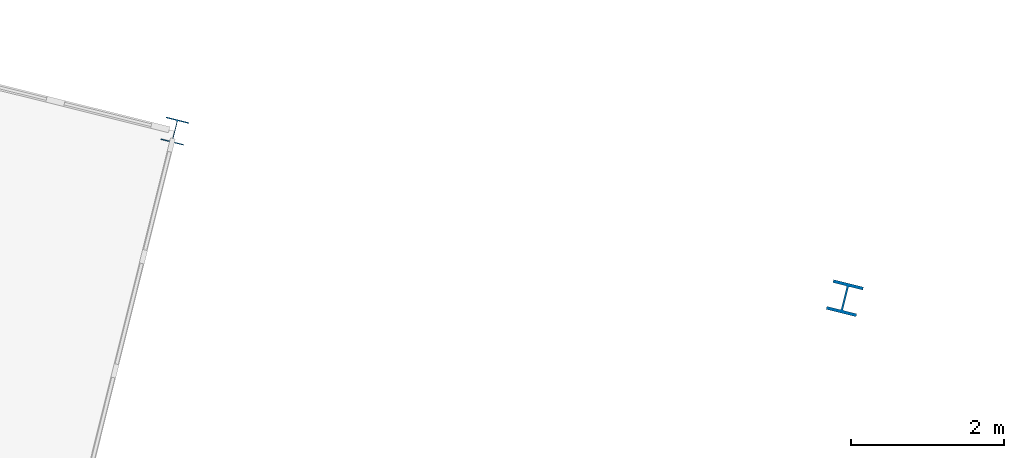
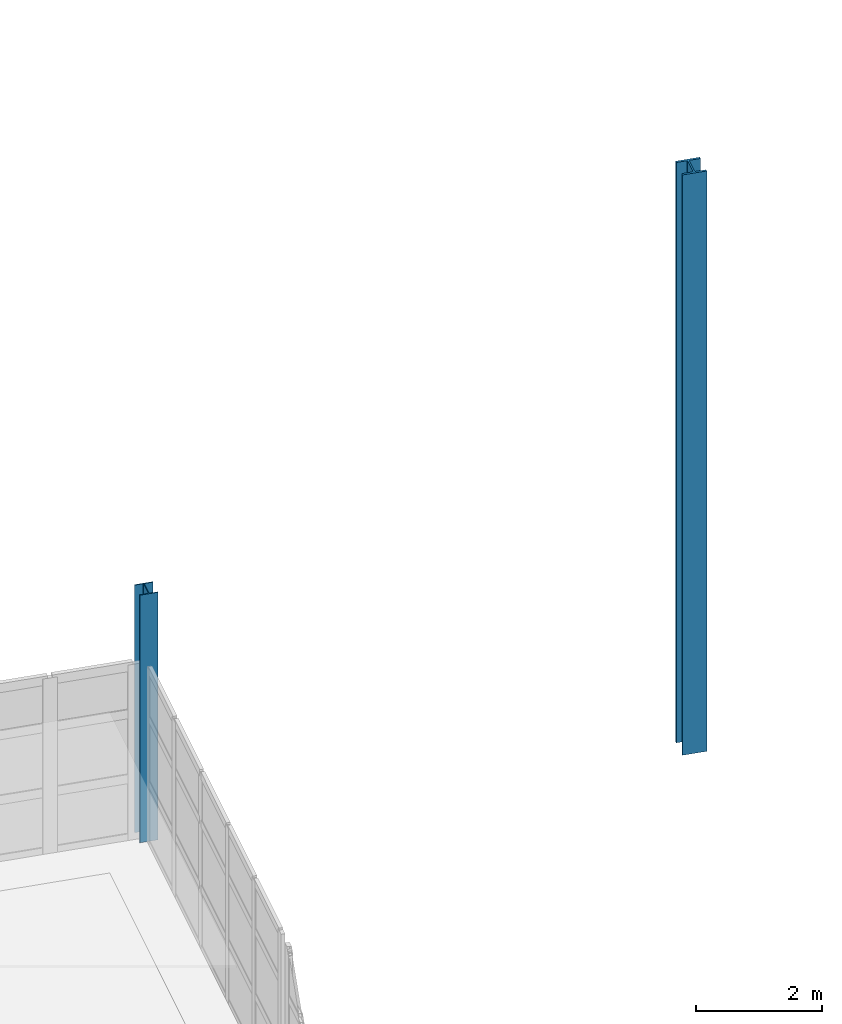
# One storey, part 6 of 59: 2 columns.
"""IFC4 building model written with IfcOpenShell, lengths in metres."""

from ifc_helpers import new_model, si_unit, direction, frame, origin, origin_2d, place, context, subcontext, project, spatial, i_section, extrude, material, material_profile, profile_set, type_object, element, save


model = new_model("IFC4")

# Units and contexts
model_context = context("Model", 3, precision=1e-05, world=origin(), true_north=direction((0.0, 1.0)))
body_context = subcontext(model_context, "Body", "Model", "MODEL_VIEW")
ifc_project = project(units=[si_unit("LENGTHUNIT", "METRE"), si_unit("AREAUNIT", "SQUARE_METRE"), si_unit("VOLUMEUNIT", "CUBIC_METRE"), si_unit("PLANEANGLEUNIT", "RADIAN"), si_unit("MASSUNIT", "GRAM", prefix="KILO")], contexts=[model_context])

# Site, building, storey
site_placement = place(None, origin())
site = spatial("IfcSite", under=ifc_project, at=site_placement, CompositionType="ELEMENT")
building_placement = place(site_placement, origin())
building = spatial("IfcBuilding", under=site, at=building_placement, Name="Vireo Bluff Cable Station", CompositionType="ELEMENT")
storey_placement = place(building_placement, frame((0.0, 0.0, 14.39990234375)))
storey = spatial("IfcBuildingStorey", under=building, at=storey_placement, Name="L03", CompositionType="ELEMENT", Elevation=14.39990234375)

# Columns
ifc_material = material(Name="Steel ASTM A992 Gr. 50", Category="steel")
ifc_material_profile_1 = material_profile(ifc_material, i_section(OverallWidth=0.304931640625, OverallDepth=0.306884765625, WebThickness=0.010009765625, FlangeThickness=0.015380859375, FilletRadius=0.012939453125, at=origin_2d()), Name="W12X65")
ifc_profile_set_1 = profile_set([ifc_material_profile_1], Name="Steel ASTM A992 Gr. 50")
column_type_1 = type_object("IfcColumnType", Name="ECOL-W12X65", PredefinedType="COLUMN", material=ifc_profile_set_1)
column_1_placement = place(storey_placement, frame((112.2021484375, 48.223388671875, 0.0), z_axis=(0.0, 0.0, 1.0), x_axis=(0.970295726276, -0.2419218956, 0.0)))
element("IfcColumn", 1, at=column_1_placement, inside=storey, type_object=column_type_1, Name="V1 L03 column 121", PredefinedType="COLUMN", context=body_context, shape_type="SweptSolid", body=[
    extrude(i_section(OverallWidth=0.304931640625, OverallDepth=0.306884765625, WebThickness=0.010009765625, FlangeThickness=0.015380859375, FilletRadius=0.012939453125, at=origin_2d()), origin(), (0.0, 0.0, 1.0), 4.800048828125),
])
ifc_material_profile_2 = material_profile(ifc_material, i_section(OverallWidth=0.40087890625, OverallDepth=0.39892578125, WebThickness=0.02490234375, FlangeThickness=0.03955078125, FilletRadius=0.014892578125, at=origin_2d()), Name="W14X211")
ifc_profile_set_2 = profile_set([ifc_material_profile_2], Name="Steel ASTM A992 Gr. 50")
column_type_2 = type_object("IfcColumnType", Name="ECOL-W14X211", PredefinedType="COLUMN", material=ifc_profile_set_2)
column_2_placement = place(storey_placement, frame((120.934814453125, 46.0458984375, 0.0), z_axis=(0.0, 0.0, 1.0), x_axis=(0.970295726276, -0.2419218956, 0.0)))
element("IfcColumn", 2, at=column_2_placement, inside=storey, type_object=column_type_2, Name="Cableway departure portal upper column 2", PredefinedType="COLUMN", context=body_context, shape_type="SweptSolid", body=[
    extrude(i_section(OverallWidth=0.40087890625, OverallDepth=0.39892578125, WebThickness=0.02490234375, FlangeThickness=0.03955078125, FilletRadius=0.014892578125, at=origin_2d()), origin(), (0.0, 0.0, 1.0), 11.25),
])

save(model, "model.ifc")
